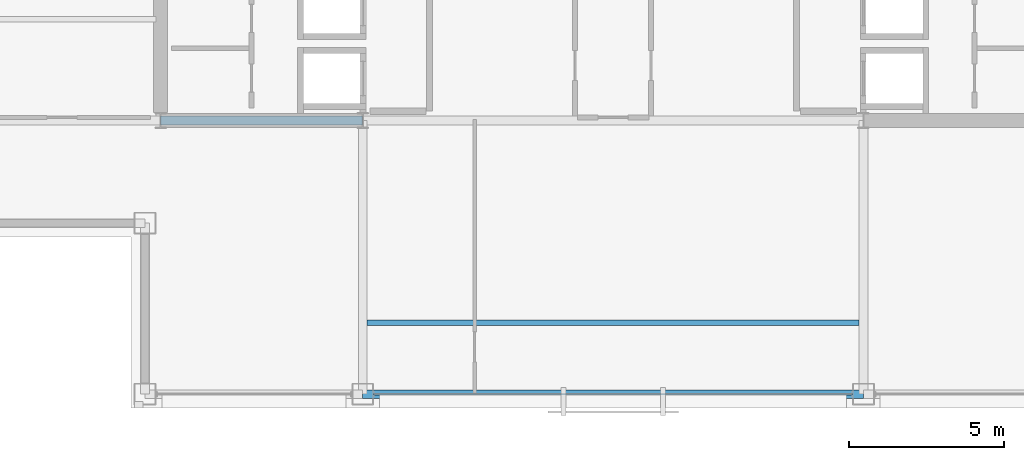
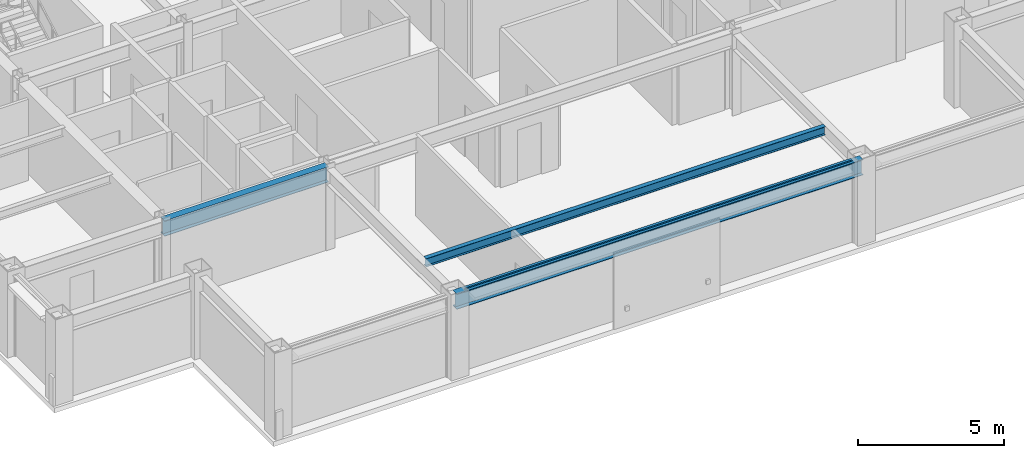
# One storey, part 5 of 30: 3 beams, 1 member, 1 element without a shape of its own.
"""IFC4 building model written with IfcOpenShell, lengths in metres."""

from ifc_helpers import new_model, si_unit, direction, frame, origin, origin_2d, place, context, subcontext, project, spatial, hollow_rectangle, i_section, extrude, material, layer, layer_set, material_profile, profile_set, type_object, element, aggregate, save


model = new_model("IFC4")

# Units and contexts
model_context = context("Model", 3, precision=1e-05, world=origin(), true_north=direction((0.0, 1.0)))
body_context = subcontext(model_context, "Body", "Model", "MODEL_VIEW")
ifc_project = project(units=[si_unit("LENGTHUNIT", "METRE"), si_unit("AREAUNIT", "SQUARE_METRE"), si_unit("VOLUMEUNIT", "CUBIC_METRE"), si_unit("PLANEANGLEUNIT", "RADIAN"), si_unit("MASSUNIT", "GRAM", prefix="KILO")], contexts=[model_context])

# Site, building, storey
site_placement = place(None, origin())
site = spatial("IfcSite", under=ifc_project, at=site_placement, CompositionType="ELEMENT")
building_placement = place(site_placement, origin())
building = spatial("IfcBuilding", under=site, at=building_placement, Name="Brelmoor Portico Tower", CompositionType="ELEMENT")
storey_placement = place(building_placement, frame((0.0, 0.0, 187.5)))
storey = spatial("IfcBuildingStorey", under=building, at=storey_placement, Name="L49", CompositionType="ELEMENT", Elevation=187.5)

# Beams
ifc_material_1 = material(Name="Steel Q355B", Category="steel")
ifc_material_profile_1 = material_profile(ifc_material_1, i_section(OverallWidth=0.175048828125, OverallDepth=0.35009765625, WebThickness=0.007080078125, FlangeThickness=0.010986328125, at=origin_2d()), Name="HN 350x175x7x11")
ifc_profile_set_1 = profile_set([ifc_material_profile_1], Name="Steel Q355B")
beam_type_1 = type_object("IfcBeamType", Name="BM-JS-350", PredefinedType="JOIST", material=ifc_profile_set_1)
beam_1_placement = place(storey_placement, frame((-7.909912109375, -16.25, 3.22509765625), z_axis=(1.0, 0.0, 0.0), x_axis=(0.0, 1.0, 0.0)))
element("IfcBeam", 1, at=beam_1_placement, inside=storey, type_object=beam_type_1, Name="L49 Secondary Composite Joist JS-C01", PredefinedType="JOIST", context=body_context, shape_type="SweptSolid", body=[
    extrude(i_section(OverallWidth=0.175048828125, OverallDepth=0.35009765625, WebThickness=0.007080078125, FlangeThickness=0.010986328125, at=origin_2d()), origin(), (0.0, 0.0, 1.0), 15.81982421875),
])
ifc_material_profile_2 = material_profile(ifc_material_1, i_section(OverallWidth=0.280029296875, OverallDepth=0.64990234375, WebThickness=0.012939453125, FlangeThickness=0.02197265625, at=origin_2d()), Name="HN 650x280x13x22")
ifc_profile_set_2 = profile_set([ifc_material_profile_2], Name="Steel Q355B")
beam_type_2 = type_object("IfcBeamType", Name="BM-PG-650", PredefinedType="BEAM", material=ifc_profile_set_2)
beam_2_placement = place(storey_placement, frame((-14.550048828125, -9.75, 3.074951171875), z_axis=(1.0, 0.0, 0.0), x_axis=(0.0, 1.0, 0.0)))
element("IfcBeam", 2, at=beam_2_placement, inside=storey, type_object=beam_type_2, Name="L49 Primary Floor Girder PG-12", PredefinedType="BEAM", context=body_context, shape_type="SweptSolid", body=[
    extrude(i_section(OverallWidth=0.280029296875, OverallDepth=0.64990234375, WebThickness=0.012939453125, FlangeThickness=0.02197265625, at=origin_2d()), origin(), (0.0, 0.0, 1.0), 6.5),
])
ifc_material_profile_3 = material_profile(ifc_material_1, i_section(OverallWidth=0.280029296875, OverallDepth=0.64990234375, WebThickness=0.012939453125, FlangeThickness=0.02197265625, at=origin_2d()), Name="HN 650x280x13x22")
ifc_profile_set_3 = profile_set([ifc_material_profile_3], Name="Steel Q355B")
beam_type_3 = type_object("IfcBeamType", Name="BM-SP-650", PredefinedType="SPANDREL", material=ifc_profile_set_3)
beam_3_placement = place(storey_placement, frame((-8.050048828125, -18.550048828125, 3.074951171875), z_axis=(1.0, 0.0, 0.0), x_axis=(0.0, 1.0, 0.0)))
element("IfcBeam", 3, at=beam_3_placement, inside=storey, type_object=beam_type_3, Name="L49 Perimeter Spandrel Beam SP-02", PredefinedType="SPANDREL", context=body_context, shape_type="SweptSolid", body=[
    extrude(i_section(OverallWidth=0.280029296875, OverallDepth=0.64990234375, WebThickness=0.012939453125, FlangeThickness=0.02197265625, at=origin_2d()), origin(), (0.0, 0.0, 1.0), 16.10009765625),
])

# Curtain wall, member
ifc_material_2 = material(Name="Anodised Aluminium Alloy 6063-T6", Category="aluminium")
ifc_layer = layer(ifc_material_2, 0.179931640625)
ifc_layer_set = layer_set([ifc_layer], Name="Anodised Aluminium Alloy 6063-T6")
curtain_wall_type = type_object("IfcCurtainWallType", Name="CW-TOWER-Z3-XB", PredefinedType="NOTDEFINED", material=ifc_layer_set)
curtain_wall_placement = place(storey_placement, origin())
curtain_wall = element("IfcCurtainWall", 4, at=curtain_wall_placement, inside=storey, type_object=curtain_wall_type, Name="L49 Curtain Wall CW-L49-01-2", PredefinedType="NOTDEFINED")
ifc_material_profile_4 = material_profile(ifc_material_2, hollow_rectangle(XDim=0.06005859375, YDim=0.125, WallThickness=0.00341796875, at=origin_2d()), Name="ALU TRANSOM 60x125")
ifc_profile_set_4 = profile_set([ifc_material_profile_4], Name="Anodised Aluminium Alloy 6063-T6")
member_type = type_object("IfcMemberType", Name="MB-CW-TRAN-125", PredefinedType="USERDEFINED", material=ifc_profile_set_4)
member_placement = place(storey_placement, frame((-7.68994140625, -18.550048828125, 3.33740234375), z_axis=(1.0, 0.0, 0.0), x_axis=(0.0, 1.0, 0.0)))
member = element("IfcMember", 5, at=member_placement, type_object=member_type, Name="CW-L49-01-2 Transom 1-00", ObjectType="TRANSOM", PredefinedType="USERDEFINED", context=body_context, shape_type="SweptSolid", body=[
    extrude(hollow_rectangle(XDim=0.06005859375, YDim=0.125, WallThickness=0.00341796875, at=origin_2d()), origin(), (0.0, 0.0, 1.0), 15.3798828125),
])
aggregate(curtain_wall, [member])

save(model, "model.ifc")
